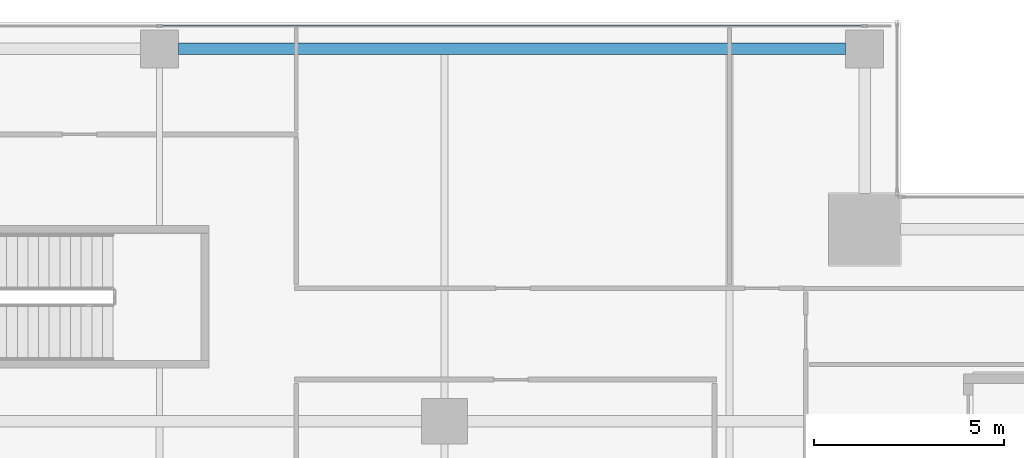
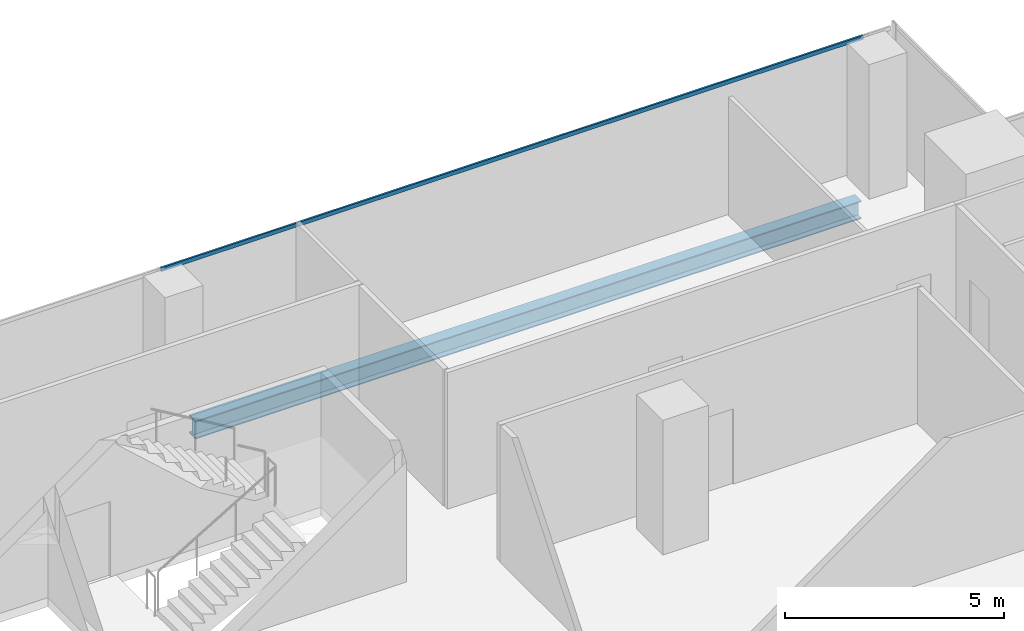
# One storey, part 26 of 40: 1 beam, 1 member, 1 element without a shape of its own.
"""IFC4 building model written with IfcOpenShell, lengths in metres."""

import ifcopenshell
import ifcopenshell.guid

model = None  # the IFC model being written
_history = None  # IfcOwnerHistory: only IFC2X3 demands one
_inside = {}  # id of a spatial element -> (the spatial element, [elements in it])
_under = {}  # id of a project, library or spatial element -> (it, [spatial elements below it])
_declared = {}  # id of a project -> (the project, [libraries it declares])
_typed = {}  # id of a type object -> (the type object, [elements of that type])
_made_of = {}  # id of a material, layer set ... -> (it, [elements and type objects made of it])


def new_model(schema):
    """Start an empty IFC model of exactly this schema.

    Asked for "IFC4X3", IfcOpenShell would pick the latest addendum, in which some entities
    have other attributes; the version numbers below select the first issue.
    IFC2X3 requires an IfcOwnerHistory on every rooted entity: one is made here for all.
    """
    global model, _history
    if schema == "IFC4X3":
        model = ifcopenshell.file(schema_version=(4, 3, 0, 0))
    else:
        model = ifcopenshell.file(schema=schema)
    _inside.clear()
    _under.clear()
    _declared.clear()
    _typed.clear()
    _made_of.clear()
    _history = None
    if model.schema == "IFC2X3":
        org = make("IfcOrganization", Name="unknown")
        user = make(
            "IfcPersonAndOrganization",
            ThePerson=make("IfcPerson", FamilyName="unknown"),
            TheOrganization=org,
        )
        app = make(
            "IfcApplication",
            ApplicationDeveloper=org,
            Version="unknown",
            ApplicationFullName="unknown",
            ApplicationIdentifier="unknown",
        )
        _history = make(
            "IfcOwnerHistory",
            OwningUser=user,
            OwningApplication=app,
            ChangeAction="ADDED",
            CreationDate=0,
        )
    return model


def make(cls, **values):
    """One entity of the class cls with the attributes given. An attribute that is None is left unset."""
    return model.create_entity(
        cls, **{name: value for name, value in values.items() if value is not None}
    )


def rooted(cls, **values):
    """An entity with a GlobalId (a new one), such as an element, a storey or a relation."""
    return make(cls, GlobalId=ifcopenshell.guid.new(), OwnerHistory=_history, **values)


def si_unit(unit_type, name, prefix=None):
    """IfcSIUnit, for example si_unit("LENGTHUNIT", "METRE", prefix="MILLI")."""
    return make("IfcSIUnit", UnitType=unit_type, Prefix=prefix, Name=name)


def assignment(units):
    """IfcUnitAssignment: the units of a project."""
    return None if units is None else make("IfcUnitAssignment", Units=units)


def point(xyz):
    """IfcCartesianPoint."""
    return None if xyz is None else make("IfcCartesianPoint", Coordinates=xyz)


def direction(xyz):
    """IfcDirection."""
    return None if xyz is None else make("IfcDirection", DirectionRatios=xyz)


def frame(location, z_axis=None, x_axis=None):
    """IfcAxis2Placement3D, a coordinate frame: its origin and axes. An axis left out is left unset."""
    return make(
        "IfcAxis2Placement3D",
        Location=point(location),
        Axis=direction(z_axis),
        RefDirection=direction(x_axis),
    )


def frame_2d(location, x_axis=None):
    """IfcAxis2Placement2D, a coordinate frame in the plane: its origin and x axis."""
    return make(
        "IfcAxis2Placement2D", Location=point(location), RefDirection=direction(x_axis)
    )


def origin():
    """The frame at (0, 0, 0) with its axes left unset."""
    return frame((0.0, 0.0, 0.0))


def origin_2d():
    """The frame at (0, 0) in the plane with its x axis left unset."""
    return frame_2d((0.0, 0.0))


def place(relative_to, where):
    """IfcLocalPlacement: puts the frame where relative to a parent placement (None: the world)."""
    return make(
        "IfcLocalPlacement", PlacementRelTo=relative_to, RelativePlacement=where
    )


def context(
    kind, dimensions, precision=None, world=None, true_north=None, identifier=None
):
    """IfcGeometricRepresentationContext, for example the 3D "Model" context."""
    return make(
        "IfcGeometricRepresentationContext",
        ContextIdentifier=identifier,
        ContextType=kind,
        CoordinateSpaceDimension=dimensions,
        Precision=precision,
        WorldCoordinateSystem=world,
        TrueNorth=true_north,
    )


def subcontext(parent, identifier, kind, view, scale=None):
    """IfcGeometricRepresentationSubContext, for example "Body" below "Model"."""
    return make(
        "IfcGeometricRepresentationSubContext",
        ContextIdentifier=identifier,
        ContextType=kind,
        ParentContext=parent,
        TargetScale=scale,
        TargetView=view,
    )


def project(units=None, contexts=None):
    """IfcProject with its units and contexts."""
    return rooted(
        "IfcProject",
        Name="project",
        RepresentationContexts=contexts,
        UnitsInContext=assignment(units),
    )


def spatial(cls, under=None, at=None, **own):
    """A site, building, storey or space (cls), placed at a placement, below another one or the project."""
    s = rooted(cls, ObjectPlacement=at, **own)
    if under is not None:
        _under.setdefault(under.id(), (under, []))[1].append(s)
    return s


def profile(cls, at=None, kind="AREA", **sizes):
    """A parametric profile (cls). Its sizes go by their IFC names, for example OverallWidth=200.0."""
    return make(cls, ProfileType=kind, Position=at, **sizes)


def hollow_rectangle(**sizes):
    """IfcRectangleHollowProfileDef."""
    return profile("IfcRectangleHollowProfileDef", **sizes)


def i_section(**sizes):
    """IfcIShapeProfileDef."""
    return profile("IfcIShapeProfileDef", **sizes)


def extrude(swept, where, along, depth):
    """IfcExtrudedAreaSolid: the profile swept, set in the frame where, extruded along a direction by depth."""
    return make(
        "IfcExtrudedAreaSolid",
        SweptArea=swept,
        Position=where,
        ExtrudedDirection=direction(along),
        Depth=depth,
    )


def shape(context_of_items, identifier, shape_type, items):
    """IfcShapeRepresentation: the items that make up one representation, for example the "Body"."""
    return make(
        "IfcShapeRepresentation",
        ContextOfItems=context_of_items,
        RepresentationIdentifier=identifier,
        RepresentationType=shape_type,
        Items=items,
    )


def source(mapping_origin, context_of_items, identifier, shape_type, items):
    """IfcRepresentationMap: a shape defined once, which mapped items show again and again."""
    return make(
        "IfcRepresentationMap",
        MappingOrigin=mapping_origin,
        MappedRepresentation=shape(context_of_items, identifier, shape_type, items),
    )


def transform(
    local_origin,
    x_axis=None,
    y_axis=None,
    z_axis=None,
    scale=None,
    scale2=None,
    scale3=None,
    uniform=True,
):
    """IfcCartesianTransformationOperator3D, or its non-uniform kind. x_axis, y_axis, z_axis: its Axis1, 2, 3."""
    if uniform:
        return make(
            "IfcCartesianTransformationOperator3D",
            Axis1=direction(x_axis),
            Axis2=direction(y_axis),
            LocalOrigin=point(local_origin),
            Scale=scale,
            Axis3=direction(z_axis),
        )
    return make(
        "IfcCartesianTransformationOperator3DnonUniform",
        Axis1=direction(x_axis),
        Axis2=direction(y_axis),
        LocalOrigin=point(local_origin),
        Scale=scale,
        Axis3=direction(z_axis),
        Scale2=scale2,
        Scale3=scale3,
    )


def mapped(mapping_source, mapping_target):
    """IfcMappedItem: shows the shape of a source again, moved by a transform."""
    return make(
        "IfcMappedItem", MappingSource=mapping_source, MappingTarget=mapping_target
    )


def material(Name=None, Category=None):
    """IfcMaterial."""
    return make("IfcMaterial", Name=Name, Category=Category)


def material_profile(
    of_material, cross_section, Name=None, Category=None, Priority=None
):
    """IfcMaterialProfile: a cross section and its material."""
    return make(
        "IfcMaterialProfile",
        Name=Name,
        Material=of_material,
        Profile=cross_section,
        Priority=Priority,
        Category=Category,
    )


def profile_set(profiles, Name=None, composite=None):
    """IfcMaterialProfileSet."""
    return make(
        "IfcMaterialProfileSet",
        Name=Name,
        MaterialProfiles=profiles,
        CompositeProfile=composite,
    )


def made_of(thing, what):
    """Note that an element or type object is made of a material, layer set ...; save() writes the relation."""
    if what is not None:
        _made_of.setdefault(what.id(), (what, []))[1].append(thing)
    return thing


def type_object(cls, material=None, **own):
    """A type object (cls), such as IfcWallType, which elements share."""
    return made_of(rooted(cls, **own), material)


def element(
    cls,
    number,
    at=None,
    inside=None,
    cuts=None,
    type_object=None,
    material=None,
    context=None,
    identifier="Body",
    shape_type=None,
    held_by="IfcProductDefinitionShape",
    body=None,
    shapes=None,
    **own,
):
    """One element of the class cls, such as IfcWall. Its Tag is "e" and its number.

    at: its placement. inside: the storey or other place that contains it. cuts: it is an
    opening in that element (IfcRelVoidsElement). A single representation is given by context,
    identifier, shape_type and body (its items); several are given by shapes. held_by: the class
    of the entity that holds the representations. save() writes the other relations.
    """
    e = rooted(cls, Tag="e%d" % number, ObjectPlacement=at, **own)
    if body is not None:
        shapes = [shape(context, identifier, shape_type, body)]
    if shapes is not None:
        e.Representation = make(held_by, Representations=shapes)
    if inside is not None:
        _inside.setdefault(inside.id(), (inside, []))[1].append(e)
    if cuts is not None:
        rooted(
            "IfcRelVoidsElement", RelatingBuildingElement=cuts, RelatedOpeningElement=e
        )
    if type_object is not None:
        _typed.setdefault(type_object.id(), (type_object, []))[1].append(e)
    return made_of(e, material)


def aggregate(whole, parts):
    """IfcRelAggregates: a whole, such as a stair, and the parts it consists of."""
    return rooted("IfcRelAggregates", RelatingObject=whole, RelatedObjects=parts)


def save(model, path):
    """Write the relations noted so far, then the file.

    IfcRelAggregates (storeys below a building ...), IfcRelContainedInSpatialStructure (elements
    in a storey), IfcRelDefinesByType, IfcRelAssociatesMaterial and IfcRelDeclares: one each for
    every whole, place, type object, material and project.
    """
    for whole, parts in _under.values():
        aggregate(whole, parts)
    for where, things in _inside.values():
        rooted(
            "IfcRelContainedInSpatialStructure",
            RelatedElements=things,
            RelatingStructure=where,
        )
    for kind, things in _typed.values():
        rooted("IfcRelDefinesByType", RelatedObjects=things, RelatingType=kind)
    for what, things in _made_of.values():
        rooted("IfcRelAssociatesMaterial", RelatedObjects=things, RelatingMaterial=what)
    for by, libraries in _declared.values():
        rooted("IfcRelDeclares", RelatingContext=by, RelatedDefinitions=libraries)
    model.write(path)


model = new_model("IFC4")

# Units and contexts
model_context = context("Model", 3, precision=1e-05, world=origin(), true_north=direction((0.0, 1.0)))
body_context = subcontext(model_context, "Body", "Model", "MODEL_VIEW")
ifc_project = project(units=[si_unit("LENGTHUNIT", "METRE"), si_unit("AREAUNIT", "SQUARE_METRE"), si_unit("VOLUMEUNIT", "CUBIC_METRE"), si_unit("PLANEANGLEUNIT", "RADIAN"), si_unit("MASSUNIT", "GRAM", prefix="KILO")], contexts=[model_context])

# Site, building, storey
site_placement = place(None, origin())
site = spatial("IfcSite", under=ifc_project, at=site_placement, CompositionType="ELEMENT")
building_placement = place(site_placement, origin())
building = spatial("IfcBuilding", under=site, at=building_placement, Name="Khomas Fold Tower", CompositionType="ELEMENT")
storey_placement = place(building_placement, frame((0.0, 0.0, 192.699951171875)))
storey = spatial("IfcBuildingStorey", under=building, at=storey_placement, Name="L42", CompositionType="ELEMENT", Elevation=192.699951171875)

# Beam
ifc_material_1 = material(Name="Steel S355", Category="steel")
ifc_material_profile_1 = material_profile(ifc_material_1, i_section(OverallWidth=0.300048828125, OverallDepth=0.5, WebThickness=0.014404296875, FlangeThickness=0.028076171875, at=origin_2d()), Name="HE 500 B")
ifc_profile_set_1 = profile_set([ifc_material_profile_1], Name="Steel S355")
beam_type = type_object("IfcBeamType", Name="HE 500 B spandrel SB3", PredefinedType="SPANDREL", material=ifc_profile_set_1)
shared_shape_1 = source(origin(), body_context, "Body", "SweptSolid", [
    extrude(i_section(OverallWidth=0.300048828125, OverallDepth=0.5, WebThickness=0.014404296875, FlangeThickness=0.028076171875, at=origin_2d()), origin(), (0.0, 0.0, 1.0), 17.550048828125),
])
beam_placement = place(storey_placement, frame((27.5, 50.300048828125, -0.5), z_axis=(1.0, 0.0, 0.0), x_axis=(0.0, 1.0, 0.0)))
element("IfcBeam", 1, at=beam_placement, inside=storey, type_object=beam_type, Name="SB3", PredefinedType="SPANDREL", context=body_context, shape_type="MappedRepresentation", body=[
    mapped(shared_shape_1, transform((0.0, 0.0, 0.0))),
])

# Curtain wall, member
ifc_material_2 = material(Name="Aluminium framed double glazing", Category="aluminium")
curtain_wall_type = type_object("IfcCurtainWallType", Name="SK-Unitised clear-glass wall, office floors CW2", PredefinedType="NOTDEFINED", material=ifc_material_2)
curtain_wall_placement = place(storey_placement, origin())
curtain_wall = element("IfcCurtainWall", 2, at=curtain_wall_placement, inside=storey, type_object=curtain_wall_type, Name="CW2 run L42 06-0", PredefinedType="NOTDEFINED")
ifc_material_3 = material(Name="Aluminium", Category="aluminium")
ifc_material_profile_2 = material_profile(ifc_material_3, hollow_rectangle(XDim=0.050048828125, YDim=0.110107421875, WallThickness=0.00390625, at=origin_2d()), Name="SK-Unitised clear-glass wall, office floors transom CW2-T")
ifc_profile_set_2 = profile_set([ifc_material_profile_2], Name="Aluminium")
member_type = type_object("IfcMemberType", Name="SK-Unitised clear-glass wall, office floors transom CW2-T", PredefinedType="USERDEFINED", material=ifc_profile_set_2)
shared_shape_2 = source(origin(), body_context, "Body", "SweptSolid", [
    extrude(hollow_rectangle(XDim=0.050048828125, YDim=0.110107421875, WallThickness=0.00390625, at=origin_2d()), origin(), (0.0, 0.0, 1.0), 18.489990234375),
])
member_placement = place(storey_placement, frame((45.52001953125, 50.89990234375, 3.695068359375), z_axis=(-1.0, 0.0, 0.0), x_axis=(0.0, -1.0, 0.0)))
member = element("IfcMember", 3, at=member_placement, type_object=member_type, Name="CW2 transom 2", ObjectType="TRANSOM", PredefinedType="USERDEFINED", context=body_context, shape_type="MappedRepresentation", body=[
    mapped(shared_shape_2, transform((0.0, 0.0, 0.0))),
])
aggregate(curtain_wall, [member])

save(model, "model.ifc")
